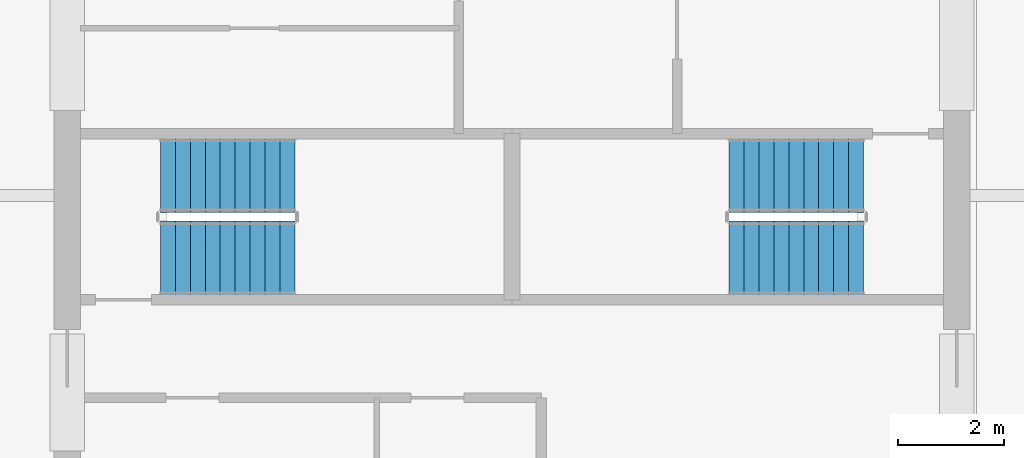
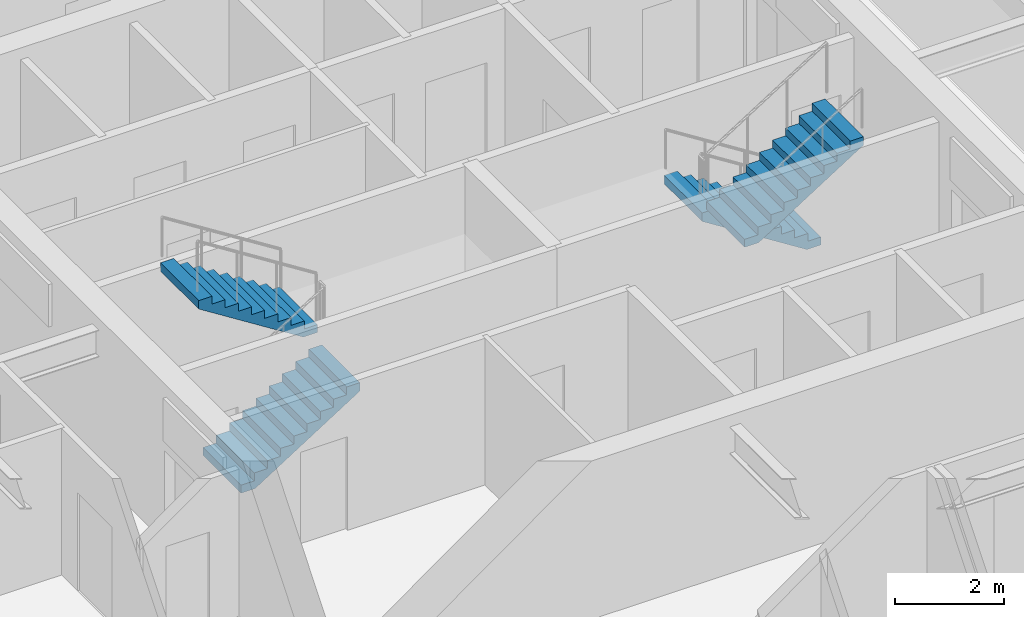
# One storey, part 31 of 33: 4 stair flights, 2 elements without a shape of their own.
"""IFC4 building model written with IfcOpenShell, lengths in metres."""

import ifcopenshell
import ifcopenshell.guid

model = None  # the IFC model being written
_history = None  # IfcOwnerHistory: only IFC2X3 demands one
_inside = {}  # id of a spatial element -> (the spatial element, [elements in it])
_under = {}  # id of a project, library or spatial element -> (it, [spatial elements below it])
_declared = {}  # id of a project -> (the project, [libraries it declares])
_typed = {}  # id of a type object -> (the type object, [elements of that type])
_made_of = {}  # id of a material, layer set ... -> (it, [elements and type objects made of it])


def new_model(schema):
    """Start an empty IFC model of exactly this schema.

    Asked for "IFC4X3", IfcOpenShell would pick the latest addendum, in which some entities
    have other attributes; the version numbers below select the first issue.
    IFC2X3 requires an IfcOwnerHistory on every rooted entity: one is made here for all.
    """
    global model, _history
    if schema == "IFC4X3":
        model = ifcopenshell.file(schema_version=(4, 3, 0, 0))
    else:
        model = ifcopenshell.file(schema=schema)
    _inside.clear()
    _under.clear()
    _declared.clear()
    _typed.clear()
    _made_of.clear()
    _history = None
    if model.schema == "IFC2X3":
        org = make("IfcOrganization", Name="unknown")
        user = make(
            "IfcPersonAndOrganization",
            ThePerson=make("IfcPerson", FamilyName="unknown"),
            TheOrganization=org,
        )
        app = make(
            "IfcApplication",
            ApplicationDeveloper=org,
            Version="unknown",
            ApplicationFullName="unknown",
            ApplicationIdentifier="unknown",
        )
        _history = make(
            "IfcOwnerHistory",
            OwningUser=user,
            OwningApplication=app,
            ChangeAction="ADDED",
            CreationDate=0,
        )
    return model


def make(cls, **values):
    """One entity of the class cls with the attributes given. An attribute that is None is left unset."""
    return model.create_entity(
        cls, **{name: value for name, value in values.items() if value is not None}
    )


def rooted(cls, **values):
    """An entity with a GlobalId (a new one), such as an element, a storey or a relation."""
    return make(cls, GlobalId=ifcopenshell.guid.new(), OwnerHistory=_history, **values)


def si_unit(unit_type, name, prefix=None):
    """IfcSIUnit, for example si_unit("LENGTHUNIT", "METRE", prefix="MILLI")."""
    return make("IfcSIUnit", UnitType=unit_type, Prefix=prefix, Name=name)


def assignment(units):
    """IfcUnitAssignment: the units of a project."""
    return None if units is None else make("IfcUnitAssignment", Units=units)


def point(xyz):
    """IfcCartesianPoint."""
    return None if xyz is None else make("IfcCartesianPoint", Coordinates=xyz)


def direction(xyz):
    """IfcDirection."""
    return None if xyz is None else make("IfcDirection", DirectionRatios=xyz)


def frame(location, z_axis=None, x_axis=None):
    """IfcAxis2Placement3D, a coordinate frame: its origin and axes. An axis left out is left unset."""
    return make(
        "IfcAxis2Placement3D",
        Location=point(location),
        Axis=direction(z_axis),
        RefDirection=direction(x_axis),
    )


def origin():
    """The frame at (0, 0, 0) with its axes left unset."""
    return frame((0.0, 0.0, 0.0))


def place(relative_to, where):
    """IfcLocalPlacement: puts the frame where relative to a parent placement (None: the world)."""
    return make(
        "IfcLocalPlacement", PlacementRelTo=relative_to, RelativePlacement=where
    )


def context(
    kind, dimensions, precision=None, world=None, true_north=None, identifier=None
):
    """IfcGeometricRepresentationContext, for example the 3D "Model" context."""
    return make(
        "IfcGeometricRepresentationContext",
        ContextIdentifier=identifier,
        ContextType=kind,
        CoordinateSpaceDimension=dimensions,
        Precision=precision,
        WorldCoordinateSystem=world,
        TrueNorth=true_north,
    )


def subcontext(parent, identifier, kind, view, scale=None):
    """IfcGeometricRepresentationSubContext, for example "Body" below "Model"."""
    return make(
        "IfcGeometricRepresentationSubContext",
        ContextIdentifier=identifier,
        ContextType=kind,
        ParentContext=parent,
        TargetScale=scale,
        TargetView=view,
    )


def project(units=None, contexts=None):
    """IfcProject with its units and contexts."""
    return rooted(
        "IfcProject",
        Name="project",
        RepresentationContexts=contexts,
        UnitsInContext=assignment(units),
    )


def spatial(cls, under=None, at=None, **own):
    """A site, building, storey or space (cls), placed at a placement, below another one or the project."""
    s = rooted(cls, ObjectPlacement=at, **own)
    if under is not None:
        _under.setdefault(under.id(), (under, []))[1].append(s)
    return s


def polyline(points):
    """IfcPolyline through the points."""
    return make("IfcPolyline", Points=[point(p) for p in points])


def outline(outer, holes=None, kind="AREA"):
    """IfcArbitraryClosedProfileDef: a profile drawn as a closed curve; with holes, ...WithVoids."""
    if holes is None:
        return make("IfcArbitraryClosedProfileDef", ProfileType=kind, OuterCurve=outer)
    return make(
        "IfcArbitraryProfileDefWithVoids",
        ProfileType=kind,
        OuterCurve=outer,
        InnerCurves=holes,
    )


def extrude(swept, where, along, depth):
    """IfcExtrudedAreaSolid: the profile swept, set in the frame where, extruded along a direction by depth."""
    return make(
        "IfcExtrudedAreaSolid",
        SweptArea=swept,
        Position=where,
        ExtrudedDirection=direction(along),
        Depth=depth,
    )


def shape(context_of_items, identifier, shape_type, items):
    """IfcShapeRepresentation: the items that make up one representation, for example the "Body"."""
    return make(
        "IfcShapeRepresentation",
        ContextOfItems=context_of_items,
        RepresentationIdentifier=identifier,
        RepresentationType=shape_type,
        Items=items,
    )


def material(Name=None, Category=None):
    """IfcMaterial."""
    return make("IfcMaterial", Name=Name, Category=Category)


def made_of(thing, what):
    """Note that an element or type object is made of a material, layer set ...; save() writes the relation."""
    if what is not None:
        _made_of.setdefault(what.id(), (what, []))[1].append(thing)
    return thing


def type_object(cls, material=None, **own):
    """A type object (cls), such as IfcWallType, which elements share."""
    return made_of(rooted(cls, **own), material)


def element(
    cls,
    number,
    at=None,
    inside=None,
    cuts=None,
    type_object=None,
    material=None,
    context=None,
    identifier="Body",
    shape_type=None,
    held_by="IfcProductDefinitionShape",
    body=None,
    shapes=None,
    **own,
):
    """One element of the class cls, such as IfcWall. Its Tag is "e" and its number.

    at: its placement. inside: the storey or other place that contains it. cuts: it is an
    opening in that element (IfcRelVoidsElement). A single representation is given by context,
    identifier, shape_type and body (its items); several are given by shapes. held_by: the class
    of the entity that holds the representations. save() writes the other relations.
    """
    e = rooted(cls, Tag="e%d" % number, ObjectPlacement=at, **own)
    if body is not None:
        shapes = [shape(context, identifier, shape_type, body)]
    if shapes is not None:
        e.Representation = make(held_by, Representations=shapes)
    if inside is not None:
        _inside.setdefault(inside.id(), (inside, []))[1].append(e)
    if cuts is not None:
        rooted(
            "IfcRelVoidsElement", RelatingBuildingElement=cuts, RelatedOpeningElement=e
        )
    if type_object is not None:
        _typed.setdefault(type_object.id(), (type_object, []))[1].append(e)
    return made_of(e, material)


def aggregate(whole, parts):
    """IfcRelAggregates: a whole, such as a stair, and the parts it consists of."""
    return rooted("IfcRelAggregates", RelatingObject=whole, RelatedObjects=parts)


def save(model, path):
    """Write the relations noted so far, then the file.

    IfcRelAggregates (storeys below a building ...), IfcRelContainedInSpatialStructure (elements
    in a storey), IfcRelDefinesByType, IfcRelAssociatesMaterial and IfcRelDeclares: one each for
    every whole, place, type object, material and project.
    """
    for whole, parts in _under.values():
        aggregate(whole, parts)
    for where, things in _inside.values():
        rooted(
            "IfcRelContainedInSpatialStructure",
            RelatedElements=things,
            RelatingStructure=where,
        )
    for kind, things in _typed.values():
        rooted("IfcRelDefinesByType", RelatedObjects=things, RelatingType=kind)
    for what, things in _made_of.values():
        rooted("IfcRelAssociatesMaterial", RelatedObjects=things, RelatingMaterial=what)
    for by, libraries in _declared.values():
        rooted("IfcRelDeclares", RelatingContext=by, RelatedDefinitions=libraries)
    model.write(path)


model = new_model("IFC4")

# Units and contexts
model_context = context("Model", 3, precision=1e-05, world=origin(), true_north=direction((0.0, 1.0)))
body_context = subcontext(model_context, "Body", "Model", "MODEL_VIEW")
ifc_project = project(units=[si_unit("LENGTHUNIT", "METRE"), si_unit("AREAUNIT", "SQUARE_METRE"), si_unit("VOLUMEUNIT", "CUBIC_METRE"), si_unit("PLANEANGLEUNIT", "RADIAN"), si_unit("MASSUNIT", "GRAM", prefix="KILO")], contexts=[model_context])

# Site, building, storey
site_placement = place(None, origin())
site = spatial("IfcSite", under=ifc_project, at=site_placement, CompositionType="ELEMENT")
building_placement = place(site_placement, origin())
building = spatial("IfcBuilding", under=site, at=building_placement, Name="Drelvath Grand Hotel", CompositionType="ELEMENT")
storey_placement = place(building_placement, frame((0.0, 0.0, 171.699951171875)))
storey = spatial("IfcBuildingStorey", under=building, at=storey_placement, Name="L44", CompositionType="ELEMENT", Elevation=171.699951171875)

# Stair, stair flights
ifc_material = material(Name="Concrete C40/50", Category="concrete")
stair_type = type_object("IfcStairType", Name="Dogleg Exit Stair W1400-R177.5", PredefinedType="HALF_TURN_STAIR", material=ifc_material)
stair_1_placement = place(storey_placement, origin())
stair_1 = element("IfcStair", 1, at=stair_1_placement, inside=storey, type_object=stair_type, Name="L44 Core Exit Stair ST-1", PredefinedType="HALF_TURN_STAIR")
stair_flight_type = type_object("IfcStairFlightType", Name="Concrete Stair Flight W1400-R177.5", PredefinedType="STRAIGHT", material=ifc_material)
stair_flight_1_placement = place(storey_placement, frame((-6.60009765625, 25.820068359375, 0.0), z_axis=(0.0, 0.0, 1.0), x_axis=(1.0, 0.0, 0.0)))
stair_flight_1 = element("IfcStairFlight", 2, at=stair_flight_1_placement, type_object=stair_flight_type, Name="ST-1 flight 1", NumberOfRisers=10, NumberOfTreads=9, PredefinedType="STRAIGHT", RiserHeight=0.1775, TreadLength=0.28, context=body_context, shape_type="SweptSolid", body=[
    extrude(outline(polyline([(0.0, 0.0), (0.0, 0.177490234375), (0.280029296875, 0.177490234375), (0.280029296875, 0.35498046875), (0.56005859375, 0.35498046875), (0.56005859375, 0.532470703125), (0.840087890625, 0.532470703125), (0.840087890625, 0.7099609375), (1.1201171875, 0.7099609375), (1.1201171875, 0.887451171875), (1.39990234375, 0.887451171875), (1.39990234375, 1.06494140625), (1.679931640625, 1.06494140625), (1.679931640625, 1.242431640625), (1.9599609375, 1.242431640625), (1.9599609375, 1.419921875), (2.239990234375, 1.419921875), (2.239990234375, 1.597412109375), (2.52001953125, 1.597412109375), (2.52001953125, 1.77490234375), (2.52001953125, 1.408203125), (0.298583984375, 0.0), (0.0, 0.0)])), frame((0.0, 0.699951171875, 0.0), z_axis=(0.0, -1.0, 0.0), x_axis=(1.0, 0.0, 0.0)), (0.0, 0.0, 1.0), 1.39990234375),
])
stair_flight_2_placement = place(storey_placement, frame((-4.080078125, 27.3798828125, 1.775146484375), z_axis=(0.0, 0.0, 1.0), x_axis=(-1.0, 0.0, 0.0)))
stair_flight_2 = element("IfcStairFlight", 3, at=stair_flight_2_placement, type_object=stair_flight_type, Name="ST-1 flight 2", NumberOfRisers=10, NumberOfTreads=9, PredefinedType="STRAIGHT", RiserHeight=0.1775, TreadLength=0.28, context=body_context, shape_type="SweptSolid", body=[
    extrude(outline(polyline([(0.0, 0.0), (0.0, 0.177490234375), (0.280029296875, 0.177490234375), (0.280029296875, 0.35498046875), (0.56005859375, 0.35498046875), (0.56005859375, 0.532470703125), (0.840087890625, 0.532470703125), (0.840087890625, 0.7099609375), (1.1201171875, 0.7099609375), (1.1201171875, 0.887451171875), (1.39990234375, 0.887451171875), (1.39990234375, 1.06494140625), (1.679931640625, 1.06494140625), (1.679931640625, 1.242431640625), (1.9599609375, 1.242431640625), (1.9599609375, 1.419921875), (2.239990234375, 1.419921875), (2.239990234375, 1.597412109375), (2.52001953125, 1.597412109375), (2.52001953125, 1.77490234375), (2.52001953125, 1.408203125), (0.298583984375, 0.0), (0.0, 0.0)])), frame((0.0, 0.699951171875, 0.0), z_axis=(0.0, -1.0, 0.0), x_axis=(1.0, 0.0, 0.0)), (0.0, 0.0, 1.0), 1.39990234375),
])
aggregate(stair_1, [stair_flight_1, stair_flight_2])

stair_2_placement = place(storey_placement, origin())
stair_2 = element("IfcStair", 4, at=stair_2_placement, inside=storey, type_object=stair_type, Name="L44 Core Exit Stair ST-2", PredefinedType="HALF_TURN_STAIR")
stair_flight_3_placement = place(storey_placement, frame((6.60009765625, 27.3798828125, 0.0), z_axis=(0.0, 0.0, 1.0), x_axis=(-1.0, 0.0, 0.0)))
stair_flight_3 = element("IfcStairFlight", 5, at=stair_flight_3_placement, type_object=stair_flight_type, Name="ST-2 flight 1", NumberOfRisers=10, NumberOfTreads=9, PredefinedType="STRAIGHT", RiserHeight=0.1775, TreadLength=0.28, context=body_context, shape_type="SweptSolid", body=[
    extrude(outline(polyline([(0.0, 0.0), (0.0, 0.177490234375), (0.280029296875, 0.177490234375), (0.280029296875, 0.35498046875), (0.56005859375, 0.35498046875), (0.56005859375, 0.532470703125), (0.840087890625, 0.532470703125), (0.840087890625, 0.7099609375), (1.1201171875, 0.7099609375), (1.1201171875, 0.887451171875), (1.39990234375, 0.887451171875), (1.39990234375, 1.06494140625), (1.679931640625, 1.06494140625), (1.679931640625, 1.242431640625), (1.9599609375, 1.242431640625), (1.9599609375, 1.419921875), (2.239990234375, 1.419921875), (2.239990234375, 1.597412109375), (2.52001953125, 1.597412109375), (2.52001953125, 1.77490234375), (2.52001953125, 1.408203125), (0.298583984375, 0.0), (0.0, 0.0)])), frame((0.0, 0.699951171875, 0.0), z_axis=(0.0, -1.0, 0.0), x_axis=(1.0, 0.0, 0.0)), (0.0, 0.0, 1.0), 1.39990234375),
])
stair_flight_4_placement = place(storey_placement, frame((4.080078125, 25.820068359375, 1.775146484375), z_axis=(0.0, 0.0, 1.0), x_axis=(1.0, 0.0, 0.0)))
stair_flight_4 = element("IfcStairFlight", 6, at=stair_flight_4_placement, type_object=stair_flight_type, Name="ST-2 flight 2", NumberOfRisers=10, NumberOfTreads=9, PredefinedType="STRAIGHT", RiserHeight=0.1775, TreadLength=0.28, context=body_context, shape_type="SweptSolid", body=[
    extrude(outline(polyline([(0.0, 0.0), (0.0, 0.177490234375), (0.280029296875, 0.177490234375), (0.280029296875, 0.35498046875), (0.56005859375, 0.35498046875), (0.56005859375, 0.532470703125), (0.840087890625, 0.532470703125), (0.840087890625, 0.7099609375), (1.1201171875, 0.7099609375), (1.1201171875, 0.887451171875), (1.39990234375, 0.887451171875), (1.39990234375, 1.06494140625), (1.679931640625, 1.06494140625), (1.679931640625, 1.242431640625), (1.9599609375, 1.242431640625), (1.9599609375, 1.419921875), (2.239990234375, 1.419921875), (2.239990234375, 1.597412109375), (2.52001953125, 1.597412109375), (2.52001953125, 1.77490234375), (2.52001953125, 1.408203125), (0.298583984375, 0.0), (0.0, 0.0)])), frame((0.0, 0.699951171875, 0.0), z_axis=(0.0, -1.0, 0.0), x_axis=(1.0, 0.0, 0.0)), (0.0, 0.0, 1.0), 1.39990234375),
])
aggregate(stair_2, [stair_flight_3, stair_flight_4])

save(model, "model.ifc")
